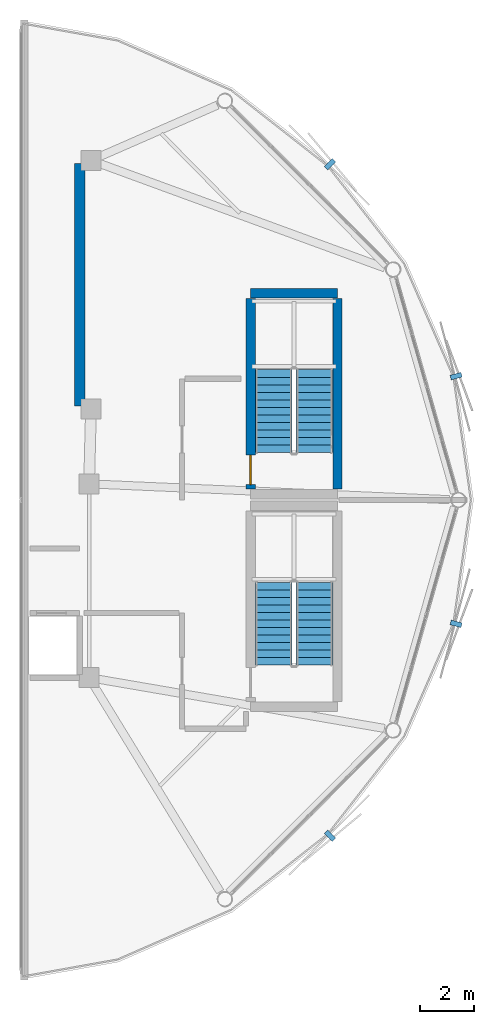
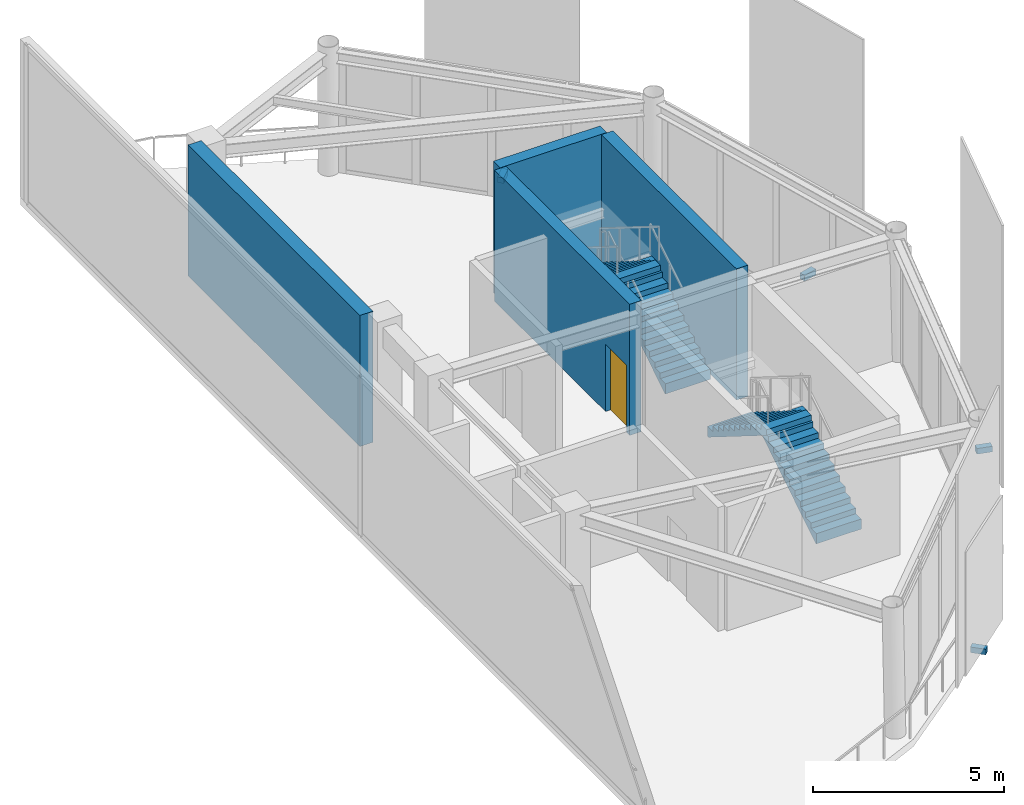
# One storey, part 12 of 13: 4 discrete accessories, 4 stair flights, 4 walls, 1 door, 1 opening, 2 elements without a shape of their own.
"""IFC4 building model written with IfcOpenShell, lengths in metres."""

from ifc_helpers import new_model, si_unit, direction, frame, frame_2d, origin, origin_2d, place, context, subcontext, project, spatial, polyline, rectangle, outline, extrude, source, transform, mapped, material, layer, layer_set, type_object, type_shapes, element, fill, aggregate, save


model = new_model("IFC4")

# Units and contexts
model_context = context("Model", 3, precision=1e-05, world=origin(), true_north=direction((0.0, 1.0)))
body_context = subcontext(model_context, "Body", "Model", "MODEL_VIEW")
ifc_project = project(units=[si_unit("LENGTHUNIT", "METRE"), si_unit("AREAUNIT", "SQUARE_METRE"), si_unit("VOLUMEUNIT", "CUBIC_METRE"), si_unit("PLANEANGLEUNIT", "RADIAN"), si_unit("MASSUNIT", "GRAM", prefix="KILO")], contexts=[model_context])

# Site, building, storey
site_placement = place(None, origin())
site = spatial("IfcSite", under=ifc_project, at=site_placement, CompositionType="ELEMENT")
building_placement = place(site_placement, origin())
building = spatial("IfcBuilding", under=site, at=building_placement, Name="Varnakorn Sky Granary", CompositionType="ELEMENT")
storey_placement = place(building_placement, frame((0.0, 0.0, 315.0)))
storey = spatial("IfcBuildingStorey", under=building, at=storey_placement, Name="L80", CompositionType="ELEMENT", Elevation=315.0)

# Wall
ifc_material_1 = material(Name="Concrete C50/60", Category="concrete")
ifc_layer_1 = layer(ifc_material_1, 0.35009765625, Name="Concrete C50/60")
ifc_layer_set_1 = layer_set([ifc_layer_1], Name="Concrete C50/60")
wall_type_1 = type_object("IfcWallType", Name="WT-CW-INT-350", PredefinedType="SHEAR", material=ifc_layer_set_1)
wall_1_placement = place(storey_placement, frame((14.35009765625, 7.679931640625, 0.0), z_axis=(0.0, 0.0, 1.0), x_axis=(1.0, 0.0, 0.0)))
element("IfcWall", 1, at=wall_1_placement, inside=storey, type_object=wall_type_1, Name="Crown Stair STC1 North Wall L80", PredefinedType="SHEAR", context=body_context, shape_type="SweptSolid", body=[
    extrude(rectangle(XDim=3.22998046875, YDim=0.35009765625, at=frame_2d((1.614990234375, 0.0))), origin(), (0.0, 0.0, 1.0), 4.19189453125),
])

# Wall, opening, door
wall_2_placement = place(storey_placement, frame((14.35009765625, 0.409912109375, 0.0), z_axis=(0.0, 0.0, 1.0), x_axis=(0.0, 1.0, 0.0)))
wall_2 = element("IfcWall", 2, at=wall_2_placement, inside=storey, type_object=wall_type_1, Name="Crown Stair STC1 West Wall L80", PredefinedType="SHEAR", context=body_context, shape_type="SweptSolid", body=[
    extrude(rectangle(XDim=7.080078125, YDim=0.35009765625, at=frame_2d((3.5400390625, 0.0))), origin(), (0.0, 0.0, 1.0), 4.19189453125),
])
opening_placement = place(wall_2_placement, frame((0.159912109375, 0.0, 0.0)))
opening = element("IfcOpeningElement", 3, at=opening_placement, cuts=wall_2, Name="Opening FD-90", PredefinedType="OPENING", context=body_context, shape_type="SweptSolid", body=[
    extrude(rectangle(XDim=1.10009765625, YDim=2.14990234375, at=frame_2d((0.550048828125, 1.074951171875))), frame((0.0, 0.18505859375, 0.0), z_axis=(0.0, -1.0, 0.0), x_axis=(1.0, 0.0, 0.0)), (0.0, 0.0, 1.0), 0.3701171875),
])
ifc_material_2 = material(Name="Galvanised Painted Steel Leaf", Category="steel")
door_type = type_object("IfcDoorType", Name="DR-STAIR-1100", OperationType="NOTDEFINED", PredefinedType="DOOR", material=ifc_material_2)
door_placement = place(opening_placement, origin())
door = element("IfcDoor", 4, at=door_placement, inside=storey, type_object=door_type, Name="Crown Stair STC1 Protected Fire Door L80", OperationType="SINGLE_SWING_LEFT", OverallHeight=2.14990234375, OverallWidth=1.10009765625, PredefinedType="DOOR", context=body_context, shape_type="SweptSolid", body=[
    extrude(rectangle(XDim=1.10009765625, YDim=2.14990234375, at=frame_2d((0.550048828125, 1.074951171875))), frame((0.0, 0.02490234375, 0.0), z_axis=(0.0, -1.0, 0.0), x_axis=(1.0, 0.0, 0.0)), (0.0, 0.0, 1.0), 0.050048828125),
])
fill(opening, door)

# Walls
wall_3_placement = place(storey_placement, frame((17.580078125, 0.409912109375, 0.0), z_axis=(0.0, 0.0, 1.0), x_axis=(0.0, 1.0, 0.0)))
element("IfcWall", 5, at=wall_3_placement, inside=storey, type_object=wall_type_1, Name="Crown Stair STC1 East Wall L80", PredefinedType="SHEAR", context=body_context, shape_type="SweptSolid", body=[
    extrude(rectangle(XDim=7.080078125, YDim=0.35009765625, at=frame_2d((3.5400390625, 0.0))), origin(), (0.0, 0.0, 1.0), 4.19189453125),
])
ifc_layer_2 = layer(ifc_material_1, 0.39990234375, Name="Concrete C50/60")
ifc_layer_set_2 = layer_set([ifc_layer_2], Name="Concrete C50/60")
wall_type_2 = type_object("IfcWallType", Name="WT-CW-SHEAR-400", PredefinedType="SHEAR", material=ifc_layer_set_2)
wall_4_placement = place(storey_placement, frame((8.0, 3.5, 0.0), z_axis=(0.0, 0.0, 1.0), x_axis=(0.0, 1.0, 0.0)))
element("IfcWall", 6, at=wall_4_placement, inside=storey, type_object=wall_type_2, Name="Core East Shear Wall L80", PredefinedType="SHEAR", context=body_context, shape_type="SweptSolid", body=[
    extrude(rectangle(XDim=9.0, YDim=0.39990234375, at=frame_2d((4.5, 0.0))), origin(), (0.0, 0.0, 1.0), 4.19189453125),
])

# Stair, stair flights
ifc_material_3 = material(Name="Concrete C40/50", Category="concrete")
stair_type = type_object("IfcStairType", Name="ST-CRWN-ASSEMBLY", PredefinedType="HALF_TURN_STAIR", material=ifc_material_3)
stair_1_placement = place(storey_placement, origin())
stair_1 = element("IfcStair", 7, at=stair_1_placement, inside=storey, type_object=stair_type, Name="L80 Crown North Exit Stair ST-C1", PredefinedType="HALF_TURN_STAIR")
stair_flight_type = type_object("IfcStairFlightType", Name="ST-CRWN-FLIGHT", PredefinedType="STRAIGHT", material=ifc_material_3)
stair_flight_1_placement = place(storey_placement, frame((16.719970703125, 1.760009765625, 0.0), z_axis=(0.0, 0.0, 1.0), x_axis=(0.0, 1.0, 0.0)))
stair_flight_1 = element("IfcStairFlight", 8, at=stair_flight_1_placement, type_object=stair_flight_type, Name="ST-C1 flight 1", NumberOfRisers=12, NumberOfTreads=11, PredefinedType="STRAIGHT", RiserHeight=0.175, TreadLength=0.28, context=body_context, shape_type="SweptSolid", body=[
    extrude(outline(polyline([(0.0, -0.14990234375), (0.0, 0.0), (0.0, 0.175048828125), (0.280029296875, 0.175048828125), (0.280029296875, 0.35009765625), (0.56005859375, 0.35009765625), (0.56005859375, 0.52490234375), (0.840087890625, 0.52490234375), (0.840087890625, 0.699951171875), (1.1201171875, 0.699951171875), (1.1201171875, 0.875), (1.39990234375, 0.875), (1.39990234375, 1.050048828125), (1.679931640625, 1.050048828125), (1.679931640625, 1.22509765625), (1.9599609375, 1.22509765625), (1.9599609375, 1.39990234375), (2.239990234375, 1.39990234375), (2.239990234375, 1.574951171875), (2.52001953125, 1.574951171875), (2.52001953125, 1.75), (2.800048828125, 1.75), (2.800048828125, 1.925048828125), (3.080078125, 1.925048828125), (3.080078125, 2.10009765625), (3.080078125, 1.748291015625), (0.050048828125, -0.14990234375), (0.0, -0.14990234375)])), frame((0.0, 0.68017578125, 0.0), z_axis=(0.0, -1.0, 0.0), x_axis=(1.0, 0.0, 0.0)), (0.0, 0.0, 1.0), 1.360107421875),
])
stair_flight_2_placement = place(storey_placement, frame((15.2099609375, 4.840087890625, 2.10009765625), z_axis=(0.0, 0.0, 1.0), x_axis=(0.0, -1.0, 0.0)))
stair_flight_2 = element("IfcStairFlight", 9, at=stair_flight_2_placement, type_object=stair_flight_type, Name="ST-C1 flight 2", NumberOfRisers=12, NumberOfTreads=11, PredefinedType="STRAIGHT", RiserHeight=0.175, TreadLength=0.28, context=body_context, shape_type="SweptSolid", body=[
    extrude(outline(polyline([(0.0, -0.14990234375), (0.0, 0.0), (0.0, 0.175048828125), (0.280029296875, 0.175048828125), (0.280029296875, 0.35009765625), (0.56005859375, 0.35009765625), (0.56005859375, 0.52490234375), (0.840087890625, 0.52490234375), (0.840087890625, 0.699951171875), (1.1201171875, 0.699951171875), (1.1201171875, 0.875), (1.39990234375, 0.875), (1.39990234375, 1.050048828125), (1.679931640625, 1.050048828125), (1.679931640625, 1.22509765625), (1.9599609375, 1.22509765625), (1.9599609375, 1.39990234375), (2.239990234375, 1.39990234375), (2.239990234375, 1.574951171875), (2.52001953125, 1.574951171875), (2.52001953125, 1.75), (2.800048828125, 1.75), (2.800048828125, 1.925048828125), (3.080078125, 1.925048828125), (3.080078125, 2.10009765625), (3.080078125, 1.748291015625), (0.050048828125, -0.14990234375), (0.0, -0.14990234375)])), frame((0.0, 0.68017578125, 0.0), z_axis=(0.0, -1.0, 0.0), x_axis=(1.0, 0.0, 0.0)), (0.0, 0.0, 1.0), 1.360107421875),
])
aggregate(stair_1, [stair_flight_1, stair_flight_2])

stair_2_placement = place(storey_placement, origin())
stair_2 = element("IfcStair", 10, at=stair_2_placement, inside=storey, type_object=stair_type, Name="L80 Crown South Exit Stair ST-C2", PredefinedType="HALF_TURN_STAIR")
stair_flight_3_placement = place(storey_placement, frame((16.719970703125, -6.139892578125, 0.0), z_axis=(0.0, 0.0, 1.0), x_axis=(0.0, 1.0, 0.0)))
stair_flight_3 = element("IfcStairFlight", 11, at=stair_flight_3_placement, type_object=stair_flight_type, Name="ST-C2 flight 1", NumberOfRisers=12, NumberOfTreads=11, PredefinedType="STRAIGHT", RiserHeight=0.175, TreadLength=0.28, context=body_context, shape_type="SweptSolid", body=[
    extrude(outline(polyline([(0.0, -0.14990234375), (0.0, 0.0), (0.0, 0.175048828125), (0.280029296875, 0.175048828125), (0.280029296875, 0.35009765625), (0.56005859375, 0.35009765625), (0.56005859375, 0.52490234375), (0.840087890625, 0.52490234375), (0.840087890625, 0.699951171875), (1.1201171875, 0.699951171875), (1.1201171875, 0.875), (1.39990234375, 0.875), (1.39990234375, 1.050048828125), (1.679931640625, 1.050048828125), (1.679931640625, 1.22509765625), (1.9599609375, 1.22509765625), (1.9599609375, 1.39990234375), (2.239990234375, 1.39990234375), (2.239990234375, 1.574951171875), (2.52001953125, 1.574951171875), (2.52001953125, 1.75), (2.800048828125, 1.75), (2.800048828125, 1.925048828125), (3.080078125, 1.925048828125), (3.080078125, 2.10009765625), (3.080078125, 1.748291015625), (0.050048828125, -0.14990234375), (0.0, -0.14990234375)])), frame((0.0, 0.68017578125, 0.0), z_axis=(0.0, -1.0, 0.0), x_axis=(1.0, 0.0, 0.0)), (0.0, 0.0, 1.0), 1.360107421875),
])
stair_flight_4_placement = place(storey_placement, frame((15.2099609375, -3.06005859375, 2.10009765625), z_axis=(0.0, 0.0, 1.0), x_axis=(0.0, -1.0, 0.0)))
stair_flight_4 = element("IfcStairFlight", 12, at=stair_flight_4_placement, type_object=stair_flight_type, Name="ST-C2 flight 2", NumberOfRisers=12, NumberOfTreads=11, PredefinedType="STRAIGHT", RiserHeight=0.175, TreadLength=0.28, context=body_context, shape_type="SweptSolid", body=[
    extrude(outline(polyline([(0.0, -0.14990234375), (0.0, 0.0), (0.0, 0.175048828125), (0.280029296875, 0.175048828125), (0.280029296875, 0.35009765625), (0.56005859375, 0.35009765625), (0.56005859375, 0.52490234375), (0.840087890625, 0.52490234375), (0.840087890625, 0.699951171875), (1.1201171875, 0.699951171875), (1.1201171875, 0.875), (1.39990234375, 0.875), (1.39990234375, 1.050048828125), (1.679931640625, 1.050048828125), (1.679931640625, 1.22509765625), (1.9599609375, 1.22509765625), (1.9599609375, 1.39990234375), (2.239990234375, 1.39990234375), (2.239990234375, 1.574951171875), (2.52001953125, 1.574951171875), (2.52001953125, 1.75), (2.800048828125, 1.75), (2.800048828125, 1.925048828125), (3.080078125, 1.925048828125), (3.080078125, 2.10009765625), (3.080078125, 1.748291015625), (0.050048828125, -0.14990234375), (0.0, -0.14990234375)])), frame((0.0, 0.68017578125, 0.0), z_axis=(0.0, -1.0, 0.0), x_axis=(1.0, 0.0, 0.0)), (0.0, 0.0, 1.0), 1.360107421875),
])
aggregate(stair_2, [stair_flight_3, stair_flight_4])

# Discrete accessories
ifc_material_4 = material(Name="Steel S355JR", Category="steel")
discrete_accessory_type = type_object("IfcDiscreteAccessoryType", Name="AC-BRK-01", PredefinedType="BRACKET", material=ifc_material_4)
shared_shape = source(origin(), body_context, "Body", "SweptSolid", [
    extrude(rectangle(XDim=0.179931640625, YDim=0.419921875, at=origin_2d()), origin(), (0.0, 0.0, 1.0), 0.179931640625),
])
type_shapes(discrete_accessory_type, [shared_shape])
for number, where, z_axis, x_axis, name in (
    (13, (21.986572265625, 4.600830078125, -0.2001953125), (0.0, 0.0, 1.0), (-0.259297817661, 0.965797412378, 0.0), "Facade Solar-Screen Outrigger Bracket L80-01"),
    (14, (17.29931640625, 12.47412109375, -0.2001953125), (0.0, 0.0, 1.0), (-0.707812001622, 0.706400856709, 0.0), "Facade Solar-Screen Outrigger Bracket L80-02"),
    (15, (17.29931640625, -12.47412109375, -0.2001953125), (0.0, 0.0, 1.0), (0.707812001622, 0.706400856709, 0.0), "Facade Solar-Screen Outrigger Bracket L80-11"),
    (16, (21.986572265625, -4.600830078125, -0.2001953125), (0.0, 0.0, 1.0), (0.259297817661, 0.965797412378, 0.0), "Facade Solar-Screen Outrigger Bracket L80-12"),
):
    element("IfcDiscreteAccessory", number, at=place(storey_placement, frame(where, z_axis=z_axis, x_axis=x_axis)), inside=storey, type_object=discrete_accessory_type, Name=name, PredefinedType="BRACKET", context=body_context, shape_type="MappedRepresentation", body=[
        mapped(shared_shape, transform((0.0, 0.0, 0.0), x_axis=(1.0, 0.0, 0.0), y_axis=(0.0, 1.0, 0.0), z_axis=(0.0, 0.0, 1.0), scale=1.0)),
    ])

save(model, "model.ifc")
